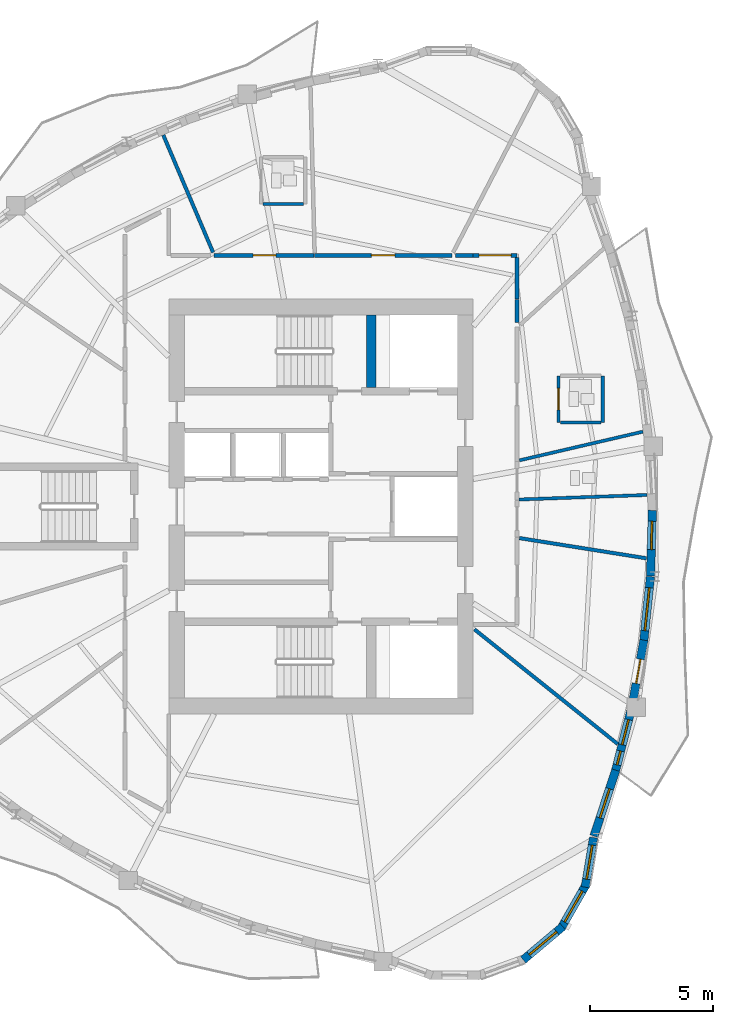
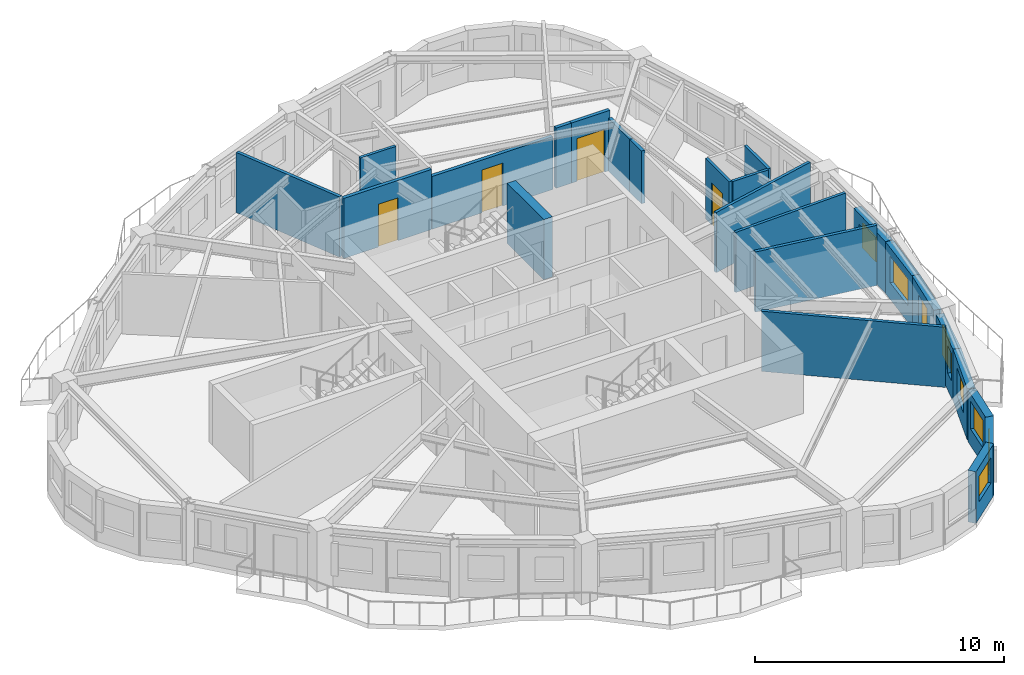
# One storey, part 6 of 12: 24 walls, 8 windows, 5 doors, 13 openings.
"""IFC4 building model written with IfcOpenShell, lengths in metres."""

import ifcopenshell
import ifcopenshell.guid

model = None  # the IFC model being written
_history = None  # IfcOwnerHistory: only IFC2X3 demands one
_inside = {}  # id of a spatial element -> (the spatial element, [elements in it])
_under = {}  # id of a project, library or spatial element -> (it, [spatial elements below it])
_declared = {}  # id of a project -> (the project, [libraries it declares])
_typed = {}  # id of a type object -> (the type object, [elements of that type])
_made_of = {}  # id of a material, layer set ... -> (it, [elements and type objects made of it])


def new_model(schema):
    """Start an empty IFC model of exactly this schema.

    Asked for "IFC4X3", IfcOpenShell would pick the latest addendum, in which some entities
    have other attributes; the version numbers below select the first issue.
    IFC2X3 requires an IfcOwnerHistory on every rooted entity: one is made here for all.
    """
    global model, _history
    if schema == "IFC4X3":
        model = ifcopenshell.file(schema_version=(4, 3, 0, 0))
    else:
        model = ifcopenshell.file(schema=schema)
    _inside.clear()
    _under.clear()
    _declared.clear()
    _typed.clear()
    _made_of.clear()
    _history = None
    if model.schema == "IFC2X3":
        org = make("IfcOrganization", Name="unknown")
        user = make(
            "IfcPersonAndOrganization",
            ThePerson=make("IfcPerson", FamilyName="unknown"),
            TheOrganization=org,
        )
        app = make(
            "IfcApplication",
            ApplicationDeveloper=org,
            Version="unknown",
            ApplicationFullName="unknown",
            ApplicationIdentifier="unknown",
        )
        _history = make(
            "IfcOwnerHistory",
            OwningUser=user,
            OwningApplication=app,
            ChangeAction="ADDED",
            CreationDate=0,
        )
    return model


def make(cls, **values):
    """One entity of the class cls with the attributes given. An attribute that is None is left unset."""
    return model.create_entity(
        cls, **{name: value for name, value in values.items() if value is not None}
    )


def rooted(cls, **values):
    """An entity with a GlobalId (a new one), such as an element, a storey or a relation."""
    return make(cls, GlobalId=ifcopenshell.guid.new(), OwnerHistory=_history, **values)


def si_unit(unit_type, name, prefix=None):
    """IfcSIUnit, for example si_unit("LENGTHUNIT", "METRE", prefix="MILLI")."""
    return make("IfcSIUnit", UnitType=unit_type, Prefix=prefix, Name=name)


def assignment(units):
    """IfcUnitAssignment: the units of a project."""
    return None if units is None else make("IfcUnitAssignment", Units=units)


def point(xyz):
    """IfcCartesianPoint."""
    return None if xyz is None else make("IfcCartesianPoint", Coordinates=xyz)


def direction(xyz):
    """IfcDirection."""
    return None if xyz is None else make("IfcDirection", DirectionRatios=xyz)


def frame(location, z_axis=None, x_axis=None):
    """IfcAxis2Placement3D, a coordinate frame: its origin and axes. An axis left out is left unset."""
    return make(
        "IfcAxis2Placement3D",
        Location=point(location),
        Axis=direction(z_axis),
        RefDirection=direction(x_axis),
    )


def frame_2d(location, x_axis=None):
    """IfcAxis2Placement2D, a coordinate frame in the plane: its origin and x axis."""
    return make(
        "IfcAxis2Placement2D", Location=point(location), RefDirection=direction(x_axis)
    )


def origin():
    """The frame at (0, 0, 0) with its axes left unset."""
    return frame((0.0, 0.0, 0.0))


def place(relative_to, where):
    """IfcLocalPlacement: puts the frame where relative to a parent placement (None: the world)."""
    return make(
        "IfcLocalPlacement", PlacementRelTo=relative_to, RelativePlacement=where
    )


def context(
    kind, dimensions, precision=None, world=None, true_north=None, identifier=None
):
    """IfcGeometricRepresentationContext, for example the 3D "Model" context."""
    return make(
        "IfcGeometricRepresentationContext",
        ContextIdentifier=identifier,
        ContextType=kind,
        CoordinateSpaceDimension=dimensions,
        Precision=precision,
        WorldCoordinateSystem=world,
        TrueNorth=true_north,
    )


def subcontext(parent, identifier, kind, view, scale=None):
    """IfcGeometricRepresentationSubContext, for example "Body" below "Model"."""
    return make(
        "IfcGeometricRepresentationSubContext",
        ContextIdentifier=identifier,
        ContextType=kind,
        ParentContext=parent,
        TargetScale=scale,
        TargetView=view,
    )


def project(units=None, contexts=None):
    """IfcProject with its units and contexts."""
    return rooted(
        "IfcProject",
        Name="project",
        RepresentationContexts=contexts,
        UnitsInContext=assignment(units),
    )


def spatial(cls, under=None, at=None, **own):
    """A site, building, storey or space (cls), placed at a placement, below another one or the project."""
    s = rooted(cls, ObjectPlacement=at, **own)
    if under is not None:
        _under.setdefault(under.id(), (under, []))[1].append(s)
    return s


def profile(cls, at=None, kind="AREA", **sizes):
    """A parametric profile (cls). Its sizes go by their IFC names, for example OverallWidth=200.0."""
    return make(cls, ProfileType=kind, Position=at, **sizes)


def rectangle(**sizes):
    """IfcRectangleProfileDef."""
    return profile("IfcRectangleProfileDef", **sizes)


def extrude(swept, where, along, depth):
    """IfcExtrudedAreaSolid: the profile swept, set in the frame where, extruded along a direction by depth."""
    return make(
        "IfcExtrudedAreaSolid",
        SweptArea=swept,
        Position=where,
        ExtrudedDirection=direction(along),
        Depth=depth,
    )


def shape(context_of_items, identifier, shape_type, items):
    """IfcShapeRepresentation: the items that make up one representation, for example the "Body"."""
    return make(
        "IfcShapeRepresentation",
        ContextOfItems=context_of_items,
        RepresentationIdentifier=identifier,
        RepresentationType=shape_type,
        Items=items,
    )


def source(mapping_origin, context_of_items, identifier, shape_type, items):
    """IfcRepresentationMap: a shape defined once, which mapped items show again and again."""
    return make(
        "IfcRepresentationMap",
        MappingOrigin=mapping_origin,
        MappedRepresentation=shape(context_of_items, identifier, shape_type, items),
    )


def transform(
    local_origin,
    x_axis=None,
    y_axis=None,
    z_axis=None,
    scale=None,
    scale2=None,
    scale3=None,
    uniform=True,
):
    """IfcCartesianTransformationOperator3D, or its non-uniform kind. x_axis, y_axis, z_axis: its Axis1, 2, 3."""
    if uniform:
        return make(
            "IfcCartesianTransformationOperator3D",
            Axis1=direction(x_axis),
            Axis2=direction(y_axis),
            LocalOrigin=point(local_origin),
            Scale=scale,
            Axis3=direction(z_axis),
        )
    return make(
        "IfcCartesianTransformationOperator3DnonUniform",
        Axis1=direction(x_axis),
        Axis2=direction(y_axis),
        LocalOrigin=point(local_origin),
        Scale=scale,
        Axis3=direction(z_axis),
        Scale2=scale2,
        Scale3=scale3,
    )


def mapped(mapping_source, mapping_target):
    """IfcMappedItem: shows the shape of a source again, moved by a transform."""
    return make(
        "IfcMappedItem", MappingSource=mapping_source, MappingTarget=mapping_target
    )


def material(Name=None, Category=None):
    """IfcMaterial."""
    return make("IfcMaterial", Name=Name, Category=Category)


def layer(
    of_material, thickness, ventilated=None, Name=None, Category=None, Priority=None
):
    """IfcMaterialLayer: one layer of a wall or slab, of a material (None: an air gap)."""
    return make(
        "IfcMaterialLayer",
        Material=of_material,
        LayerThickness=thickness,
        IsVentilated=ventilated,
        Name=Name,
        Category=Category,
        Priority=Priority,
    )


def layer_set(layers, Name=None):
    """IfcMaterialLayerSet."""
    return make("IfcMaterialLayerSet", MaterialLayers=layers, LayerSetName=Name)


def made_of(thing, what):
    """Note that an element or type object is made of a material, layer set ...; save() writes the relation."""
    if what is not None:
        _made_of.setdefault(what.id(), (what, []))[1].append(thing)
    return thing


def type_object(cls, material=None, **own):
    """A type object (cls), such as IfcWallType, which elements share."""
    return made_of(rooted(cls, **own), material)


def element(
    cls,
    number,
    at=None,
    inside=None,
    cuts=None,
    type_object=None,
    material=None,
    context=None,
    identifier="Body",
    shape_type=None,
    held_by="IfcProductDefinitionShape",
    body=None,
    shapes=None,
    **own,
):
    """One element of the class cls, such as IfcWall. Its Tag is "e" and its number.

    at: its placement. inside: the storey or other place that contains it. cuts: it is an
    opening in that element (IfcRelVoidsElement). A single representation is given by context,
    identifier, shape_type and body (its items); several are given by shapes. held_by: the class
    of the entity that holds the representations. save() writes the other relations.
    """
    e = rooted(cls, Tag="e%d" % number, ObjectPlacement=at, **own)
    if body is not None:
        shapes = [shape(context, identifier, shape_type, body)]
    if shapes is not None:
        e.Representation = make(held_by, Representations=shapes)
    if inside is not None:
        _inside.setdefault(inside.id(), (inside, []))[1].append(e)
    if cuts is not None:
        rooted(
            "IfcRelVoidsElement", RelatingBuildingElement=cuts, RelatedOpeningElement=e
        )
    if type_object is not None:
        _typed.setdefault(type_object.id(), (type_object, []))[1].append(e)
    return made_of(e, material)


def fill(opening, filler):
    """IfcRelFillsElement: the door or window that sits in an opening."""
    return rooted(
        "IfcRelFillsElement",
        RelatingOpeningElement=opening,
        RelatedBuildingElement=filler,
    )


def aggregate(whole, parts):
    """IfcRelAggregates: a whole, such as a stair, and the parts it consists of."""
    return rooted("IfcRelAggregates", RelatingObject=whole, RelatedObjects=parts)


def save(model, path):
    """Write the relations noted so far, then the file.

    IfcRelAggregates (storeys below a building ...), IfcRelContainedInSpatialStructure (elements
    in a storey), IfcRelDefinesByType, IfcRelAssociatesMaterial and IfcRelDeclares: one each for
    every whole, place, type object, material and project.
    """
    for whole, parts in _under.values():
        aggregate(whole, parts)
    for where, things in _inside.values():
        rooted(
            "IfcRelContainedInSpatialStructure",
            RelatedElements=things,
            RelatingStructure=where,
        )
    for kind, things in _typed.values():
        rooted("IfcRelDefinesByType", RelatedObjects=things, RelatingType=kind)
    for what, things in _made_of.values():
        rooted("IfcRelAssociatesMaterial", RelatedObjects=things, RelatingMaterial=what)
    for by, libraries in _declared.values():
        rooted("IfcRelDeclares", RelatingContext=by, RelatedDefinitions=libraries)
    model.write(path)


model = new_model("IFC4")

# Units and contexts
model_context = context("Model", 3, precision=1e-05, world=origin(), true_north=direction((0.0, 1.0)))
body_context = subcontext(model_context, "Body", "Model", "MODEL_VIEW")
ifc_project = project(units=[si_unit("LENGTHUNIT", "METRE"), si_unit("AREAUNIT", "SQUARE_METRE"), si_unit("VOLUMEUNIT", "CUBIC_METRE"), si_unit("PLANEANGLEUNIT", "RADIAN"), si_unit("MASSUNIT", "GRAM", prefix="KILO")], contexts=[model_context])

# Site, building, storey
site_placement = place(None, origin())
site = spatial("IfcSite", under=ifc_project, at=site_placement, CompositionType="ELEMENT")
building_placement = place(site_placement, origin())
building = spatial("IfcBuilding", under=site, at=building_placement, Name="Qafzar Sky-Pleat Residences", CompositionType="ELEMENT")
storey_placement = place(building_placement, frame((0.0, 0.0, 139.39990234375)))
storey = spatial("IfcBuildingStorey", under=building, at=storey_placement, Name="L41", CompositionType="ELEMENT", Elevation=139.39990234375)

# Wall, opening, door
ifc_material_1 = material(Name="Acoustic gypsum plasterboard partition", Category="gypsum")
ifc_layer_1 = layer(ifc_material_1, 0.159912109375)
ifc_layer_set_1 = layer_set([ifc_layer_1], Name="Acoustic gypsum plasterboard partition")
wall_type_1 = type_object("IfcWallType", Name="PART-COR-160", PredefinedType="PARTITIONING", material=ifc_layer_set_1)
wall_1_placement = place(storey_placement, frame((30.077880859375, 36.22998046875, 0.0), z_axis=(0.0, 0.0, 1.0), x_axis=(1.0, 0.0, 0.0)))
wall_1 = element("IfcWall", 1, at=wall_1_placement, inside=storey, type_object=wall_type_1, Name="L41 Partition Wall PART-L41-PW-002", PredefinedType="PARTITIONING", context=body_context, shape_type="SweptSolid", body=[
    extrude(rectangle(XDim=5.608154296875, YDim=0.159912109375, at=frame_2d((2.80419921875, 0.0))), origin(), (0.0, 0.0, 1.0), 2.588134765625),
])
opening_1_placement = place(wall_1_placement, frame((2.322998046875, 0.0, 0.0)))
opening_1 = element("IfcOpeningElement", 2, at=opening_1_placement, cuts=wall_1, Name="Opening ID-06", PredefinedType="OPENING", context=body_context, shape_type="SweptSolid", body=[
    extrude(rectangle(XDim=0.9599609375, YDim=2.10009765625, at=frame_2d((0.47998046875, 1.050048828125))), frame((0.0, 0.08984375, 0.0), z_axis=(0.0, -1.0, 0.0), x_axis=(1.0, 0.0, 0.0)), (0.0, 0.0, 1.0), 0.179931640625),
])
ifc_material_2 = material(Name="Timber-faced fire door", Category="wood")
door_type_1 = type_object("IfcDoorType", Name="DR-STD-960", OperationType="NOTDEFINED", PredefinedType="DOOR", material=ifc_material_2)
shared_shape_1 = source(origin(), body_context, "Body", "SweptSolid", [
    extrude(rectangle(XDim=0.9599609375, YDim=2.10009765625, at=frame_2d((0.47998046875, 1.050048828125))), frame((0.0, 0.02490234375, 0.0), z_axis=(0.0, -1.0, 0.0), x_axis=(1.0, 0.0, 0.0)), (0.0, 0.0, 1.0), 0.050048828125),
])
door_1_placement = place(opening_1_placement, origin())
door_1 = element("IfcDoor", 3, at=door_1_placement, inside=storey, type_object=door_type_1, Name="L41 Reading Library Door", OperationType="SINGLE_SWING_RIGHT", OverallHeight=2.10009765625, OverallWidth=0.9599609375, PredefinedType="DOOR", context=body_context, shape_type="MappedRepresentation", body=[
    mapped(shared_shape_1, transform((0.0, 0.0, 0.0), x_axis=(1.0, 0.0, 0.0), y_axis=(0.0, 1.0, 0.0), z_axis=(0.0, 0.0, 1.0), scale=1.0)),
])
fill(opening_1, door_1)

wall_2_placement = place(storey_placement, frame((25.989990234375, 36.22998046875, 0.0), z_axis=(0.0, 0.0, 1.0), x_axis=(1.0, 0.0, 0.0)))
wall_2 = element("IfcWall", 4, at=wall_2_placement, inside=storey, type_object=wall_type_1, Name="L41 Partition Wall PART-L41-PW-004", PredefinedType="PARTITIONING", context=body_context, shape_type="SweptSolid", body=[
    extrude(rectangle(XDim=4.072998046875, YDim=0.159912109375, at=frame_2d((2.03662109375, 0.0))), origin(), (0.0, 0.0, 1.0), 2.9501953125),
])
opening_2_placement = place(wall_2_placement, frame((1.599609375, 0.0, 0.0)))
opening_2 = element("IfcOpeningElement", 5, at=opening_2_placement, cuts=wall_2, Name="Opening ID-04", PredefinedType="OPENING", context=body_context, shape_type="SweptSolid", body=[
    extrude(rectangle(XDim=0.919921875, YDim=2.10009765625, at=frame_2d((0.4599609375, 1.050048828125))), frame((0.0, 0.08984375, 0.0), z_axis=(0.0, -1.0, 0.0), x_axis=(1.0, 0.0, 0.0)), (0.0, 0.0, 1.0), 0.179931640625),
])
door_type_2 = type_object("IfcDoorType", Name="DR-BED-920", OperationType="NOTDEFINED", PredefinedType="DOOR", material=ifc_material_2)
shared_shape_2 = source(origin(), body_context, "Body", "SweptSolid", [
    extrude(rectangle(XDim=0.919921875, YDim=2.10009765625, at=frame_2d((0.4599609375, 1.050048828125))), frame((0.0, 0.02490234375, 0.0), z_axis=(0.0, -1.0, 0.0), x_axis=(1.0, 0.0, 0.0)), (0.0, 0.0, 1.0), 0.050048828125),
])
door_2_placement = place(opening_2_placement, origin())
door_2 = element("IfcDoor", 6, at=door_2_placement, inside=storey, type_object=door_type_2, Name="L41 Co-Living Bedroom 2 Door", OperationType="SINGLE_SWING_RIGHT", OverallHeight=2.10009765625, OverallWidth=0.919921875, PredefinedType="DOOR", context=body_context, shape_type="MappedRepresentation", body=[
    mapped(shared_shape_2, transform((0.0, 0.0, 0.0), x_axis=(1.0, 0.0, 0.0), y_axis=(0.0, 1.0, 0.0), z_axis=(0.0, 0.0, 1.0), scale=1.0)),
])
fill(opening_2, door_2)

wall_3_placement = place(storey_placement, frame((36.550048828125, 36.22998046875, 0.0), z_axis=(0.0, 0.0, 1.0), x_axis=(1.0, 0.0, 0.0)))
wall_3 = element("IfcWall", 7, at=wall_3_placement, inside=storey, type_object=wall_type_1, Name="L41 Partition Wall PART-L41-PW-011", PredefinedType="PARTITIONING", context=body_context, shape_type="SweptSolid", body=[
    extrude(rectangle(XDim=1.780029296875, YDim=0.159912109375, at=frame_2d((0.89013671875, 0.0))), origin(), (0.0, 0.0, 1.0), 2.9501953125),
])
opening_3_placement = place(wall_3_placement, frame((0.239990234375, 0.0, 0.0)))
opening_3 = element("IfcOpeningElement", 8, at=opening_3_placement, cuts=wall_3, Name="Opening ID-05", PredefinedType="OPENING", context=body_context, shape_type="SweptSolid", body=[
    extrude(rectangle(XDim=1.300048828125, YDim=2.10009765625, at=frame_2d((0.64990234375, 1.050048828125))), frame((0.0, 0.08984375, 0.0), z_axis=(0.0, -1.0, 0.0), x_axis=(1.0, 0.0, 0.0)), (0.0, 0.0, 1.0), 0.179931640625),
])
door_type_3 = type_object("IfcDoorType", Name="DR-LNG-1300", OperationType="DOUBLE_DOOR_SINGLE_SWING", PredefinedType="DOOR", material=ifc_material_2)
shared_shape_3 = source(origin(), body_context, "Body", "SweptSolid", [
    extrude(rectangle(XDim=1.300048828125, YDim=2.10009765625, at=frame_2d((0.64990234375, 1.050048828125))), frame((0.0, 0.02490234375, 0.0), z_axis=(0.0, -1.0, 0.0), x_axis=(1.0, 0.0, 0.0)), (0.0, 0.0, 1.0), 0.050048828125),
])
door_3_placement = place(opening_3_placement, origin())
door_3 = element("IfcDoor", 9, at=door_3_placement, inside=storey, type_object=door_type_3, Name="L41 Communal Kitchen Door", OperationType="DOUBLE_DOOR_SINGLE_SWING", OverallHeight=2.10009765625, OverallWidth=1.300048828125, PredefinedType="DOOR", context=body_context, shape_type="MappedRepresentation", body=[
    mapped(shared_shape_3, transform((0.0, 0.0, 0.0), x_axis=(1.0, 0.0, 0.0), y_axis=(0.0, 1.0, 0.0), z_axis=(0.0, 0.0, 1.0), scale=1.0)),
])
fill(opening_3, door_3)

# Walls
wall_4_placement = place(storey_placement, frame((38.330078125, 34.449951171875, 0.0), z_axis=(0.0, 0.0, 1.0), x_axis=(0.0, 1.0, 0.0)))
element("IfcWall", 10, at=wall_4_placement, inside=storey, type_object=wall_type_1, Name="L41 Partition Wall PART-L41-PW-035", PredefinedType="PARTITIONING", context=body_context, shape_type="SweptSolid", body=[
    extrude(rectangle(XDim=1.692138671875, YDim=0.159912109375, at=frame_2d((0.84619140625, 0.0))), origin(), (0.0, 0.0, 1.0), 2.588134765625),
])
wall_5_placement = place(storey_placement, frame((38.330078125, 33.49609375, 0.0), z_axis=(0.0, 0.0, 1.0), x_axis=(0.0, 1.0, 0.0)))
element("IfcWall", 11, at=wall_5_placement, inside=storey, type_object=wall_type_1, Name="L41 Partition Wall PART-L41-PW-039", PredefinedType="PARTITIONING", context=body_context, shape_type="SweptSolid", body=[
    extrude(rectangle(XDim=0.93896484375, YDim=0.159912109375, at=frame_2d((0.469482421875, 0.0))), origin(), (0.0, 0.0, 1.0), 2.588134765625),
])
wall_6_placement = place(storey_placement, frame((35.832275390625, 36.22998046875, 0.0), z_axis=(0.0, 0.0, 1.0), x_axis=(1.0, 0.0, 0.0)))
element("IfcWall", 12, at=wall_6_placement, inside=storey, type_object=wall_type_1, Name="L41 Partition Wall PART-L41-PW-041", PredefinedType="PARTITIONING", context=body_context, shape_type="SweptSolid", body=[
    extrude(rectangle(XDim=0.70263671875, YDim=0.159912109375, at=frame_2d((0.351318359375, 0.0))), origin(), (0.0, 0.0, 1.0), 2.9501953125),
])
ifc_layer_2 = layer(ifc_material_1, 0.14501953125)
ifc_layer_set_2 = layer_set([ifc_layer_2], Name="Acoustic gypsum plasterboard partition")
wall_type_2 = type_object("IfcWallType", Name="PART-UNIT-145", PredefinedType="PARTITIONING", material=ifc_layer_set_2)
wall_7_placement = place(storey_placement, frame((36.6015625, 20.99658203125, 0.0), z_axis=(0.0, 0.0, 1.0), x_axis=(0.780696683128, -0.624910144703, 0.0)))
element("IfcWall", 13, at=wall_7_placement, inside=storey, type_object=wall_type_2, Name="L41 Partition Wall PART-L41-PW-018", PredefinedType="PARTITIONING", context=body_context, shape_type="SweptSolid", body=[
    extrude(rectangle(XDim=7.4736328125, YDim=0.14501953125, at=frame_2d((3.73681640625, 0.0))), origin(), (0.0, 0.0, 1.0), 2.9501953125),
])
wall_8_placement = place(storey_placement, frame((38.42919921875, 24.714111328125, 0.0), z_axis=(0.0, 0.0, 1.0), x_axis=(0.987561894046, -0.157230739454, 0.0)))
element("IfcWall", 14, at=wall_8_placement, inside=storey, type_object=wall_type_2, Name="L41 Partition Wall PART-L41-PW-020", PredefinedType="PARTITIONING", context=body_context, shape_type="SweptSolid", body=[
    extrude(rectangle(XDim=5.239013671875, YDim=0.14501953125, at=frame_2d((2.61962890625, 0.0))), origin(), (0.0, 0.0, 1.0), 2.9501953125),
])
wall_9_placement = place(storey_placement, frame((23.92724609375, 41.126953125, 0.0), z_axis=(0.0, 0.0, 1.0), x_axis=(0.39073452171, -0.920503413108, 0.0)))
element("IfcWall", 15, at=wall_9_placement, inside=storey, type_object=wall_type_2, Name="L41 Partition Wall PART-L41-PW-021", PredefinedType="PARTITIONING", context=body_context, shape_type="SweptSolid", body=[
    extrude(rectangle(XDim=5.194091796875, YDim=0.14501953125, at=frame_2d((2.59716796875, 0.0))), origin(), (0.0, 0.0, 1.0), 2.9501953125),
])

# Wall, opening, door
ifc_material_3 = material(Name="Moisture-resistant gypsum partition", Category="gypsum")
ifc_layer_3 = layer(ifc_material_3, 0.1298828125)
ifc_layer_set_3 = layer_set([ifc_layer_3], Name="Moisture-resistant gypsum partition")
wall_type_3 = type_object("IfcWallType", Name="PART-WET-130", PredefinedType="PARTITIONING", material=ifc_layer_set_3)
wall_10_placement = place(storey_placement, frame((40.02490234375, 31.324951171875, 0.0), z_axis=(0.0, 0.0, 1.0), x_axis=(0.0, -1.0, 0.0)))
wall_10 = element("IfcWall", 16, at=wall_10_placement, inside=storey, type_object=wall_type_3, Name="L41 Partition Wall PART-L41-PW-009", PredefinedType="PARTITIONING", context=body_context, shape_type="SweptSolid", body=[
    extrude(rectangle(XDim=1.89990234375, YDim=0.1298828125, at=frame_2d((0.949951171875, 0.0))), origin(), (0.0, 0.0, 1.0), 2.9501953125),
])
opening_4_placement = place(wall_10_placement, frame((0.510009765625, 0.0, 0.0)))
opening_4 = element("IfcOpeningElement", 17, at=opening_4_placement, cuts=wall_10, Name="Opening ID-07", PredefinedType="OPENING", context=body_context, shape_type="SweptSolid", body=[
    extrude(rectangle(XDim=0.8798828125, YDim=2.050048828125, at=frame_2d((0.43994140625, 1.02490234375))), frame((0.0, 0.074951171875, 0.0), z_axis=(0.0, -1.0, 0.0), x_axis=(1.0, 0.0, 0.0)), (0.0, 0.0, 1.0), 0.14990234375),
])
door_type_4 = type_object("IfcDoorType", Name="DR-WET-880", OperationType="NOTDEFINED", PredefinedType="DOOR", material=ifc_material_2)
shared_shape_4 = source(origin(), body_context, "Body", "SweptSolid", [
    extrude(rectangle(XDim=0.8798828125, YDim=2.050048828125, at=frame_2d((0.43994140625, 1.02490234375))), frame((0.0, 0.02490234375, 0.0), z_axis=(0.0, -1.0, 0.0), x_axis=(1.0, 0.0, 0.0)), (0.0, 0.0, 1.0), 0.050048828125),
])
door_4_placement = place(opening_4_placement, origin())
door_4 = element("IfcDoor", 18, at=door_4_placement, inside=storey, type_object=door_type_4, Name="L41 En-suite Bathroom 1 Door", OperationType="SINGLE_SWING_RIGHT", OverallHeight=2.050048828125, OverallWidth=0.8798828125, PredefinedType="DOOR", context=body_context, shape_type="MappedRepresentation", body=[
    mapped(shared_shape_4, transform((0.0, 0.0, 0.0), x_axis=(1.0, 0.0, 0.0), y_axis=(0.0, 1.0, 0.0), z_axis=(0.0, 0.0, 1.0), scale=1.0)),
])
fill(opening_4, door_4)

# Walls
wall_11_placement = place(storey_placement, frame((38.42041015625, 26.28515625, 0.0), z_axis=(0.0, 0.0, 1.0), x_axis=(0.999370581131, 0.03547452002, 0.0)))
element("IfcWall", 19, at=wall_11_placement, inside=storey, type_object=wall_type_3, Name="L41 Partition Wall PART-L41-PW-022", PredefinedType="PARTITIONING", context=body_context, shape_type="SweptSolid", body=[
    extrude(rectangle(XDim=5.216552734375, YDim=0.1298828125, at=frame_2d((2.6083984375, 0.0))), origin(), (0.0, 0.0, 1.0), 2.9501953125),
])
wall_12_placement = place(storey_placement, frame((38.4326171875, 27.8798828125, 0.0), z_axis=(0.0, 0.0, 1.0), x_axis=(0.974013368575, 0.226490524828, 0.0)))
element("IfcWall", 20, at=wall_12_placement, inside=storey, type_object=wall_type_3, Name="L41 Partition Wall PART-L41-PW-023", PredefinedType="PARTITIONING", context=body_context, shape_type="SweptSolid", body=[
    extrude(rectangle(XDim=5.158935546875, YDim=0.1298828125, at=frame_2d((2.57958984375, 0.0))), origin(), (0.0, 0.0, 1.0), 2.9501953125),
])
wall_13_placement = place(storey_placement, frame((41.824951171875, 29.425048828125, 0.0), z_axis=(0.0, 0.0, 1.0), x_axis=(0.0, 1.0, 0.0)))
element("IfcWall", 21, at=wall_13_placement, inside=storey, type_object=wall_type_3, Name="L41 Partition Wall PART-L41-PW-027", PredefinedType="PARTITIONING", context=body_context, shape_type="SweptSolid", body=[
    extrude(rectangle(XDim=1.89990234375, YDim=0.1298828125, at=frame_2d((0.949951171875, 0.0))), origin(), (0.0, 0.0, 1.0), 2.9501953125),
])
for number, where, z_axis, x_axis, name in (
    (22, (40.097900390625, 29.425048828125, 0.0), (0.0, 0.0, 1.0), (1.0, 0.0, 0.0), "L41 Partition Wall PART-L41-PW-031"),
    (23, (27.97900390625, 38.324951171875, 0.0), (0.0, 0.0, 1.0), (1.0, 0.0, 0.0), "L41 Partition Wall PART-L41-PW-033"),
):
    element("IfcWall", number, at=place(storey_placement, frame(where, z_axis=z_axis, x_axis=x_axis)), inside=storey, type_object=wall_type_3, Name=name, PredefinedType="PARTITIONING", context=body_context, shape_type="SweptSolid", body=[
        extrude(rectangle(XDim=1.654052734375, YDim=0.1298828125, at=frame_2d((0.8271484375, 0.0))), origin(), (0.0, 0.0, 1.0), 2.9501953125),
    ])

# Wall, opening, window
ifc_material_4 = material(Name="Precast concrete C40/50 with honed Riyadh limestone", Category="concrete")
ifc_layer_4 = layer(ifc_material_4, 0.340087890625)
ifc_layer_set_4 = layer_set([ifc_layer_4], Name="Precast concrete C40/50 with honed Riyadh limestone")
wall_type_4 = type_object("IfcWallType", Name="WALL-EXT-340", PredefinedType="SOLIDWALL", material=ifc_layer_set_4)
wall_14_placement = place(storey_placement, frame((38.582763671875, 7.53564453125, 0.0), z_axis=(0.0, 0.0, 1.0), x_axis=(0.76506129474, 0.643957463883, 0.0)))
wall_14 = element("IfcWall", 24, at=wall_14_placement, inside=storey, type_object=wall_type_4, Name="L41 Limestone Facade Wall 20", PredefinedType="SOLIDWALL", context=body_context, shape_type="SweptSolid", body=[
    extrude(rectangle(XDim=2.108642578125, YDim=0.340087890625, at=frame_2d((1.05419921875, 0.0))), origin(), (0.0, 0.0, 1.0), 2.530029296875),
])
opening_5_placement = place(wall_14_placement, frame((0.329345703125, 0.0, 0.820068359375)))
opening_5 = element("IfcOpeningElement", 25, at=opening_5_placement, cuts=wall_14, Name="Opening WN-15", PredefinedType="OPENING", context=body_context, shape_type="SweptSolid", body=[
    extrude(rectangle(XDim=1.449951171875, YDim=1.25, at=frame_2d((0.72509765625, 0.625))), frame((0.0, 0.18017578125, 0.0), z_axis=(0.0, -1.0, 0.0), x_axis=(1.0, 0.0, 0.0)), (0.0, 0.0, 1.0), 0.360107421875),
])
ifc_material_5 = material(Name="Solar-control low-E glass in bronze aluminium frame", Category="glass")
window_type_1 = type_object("IfcWindowType", Name="WIN-15", PartitioningType="SINGLE_PANEL", PredefinedType="WINDOW", material=ifc_material_5)
shared_shape_5 = source(origin(), body_context, "Body", "SweptSolid", [
    extrude(rectangle(XDim=1.449951171875, YDim=1.25, at=frame_2d((0.72509765625, 0.625))), frame((0.0, 0.030029296875, 0.0), z_axis=(0.0, -1.0, 0.0), x_axis=(1.0, 0.0, 0.0)), (0.0, 0.0, 1.0), 0.06005859375),
])
window_1_placement = place(opening_5_placement, origin())
window_1 = element("IfcWindow", 26, at=window_1_placement, inside=storey, type_object=window_type_1, Name="L41 Punched Facade Window 20", OverallHeight=1.25, OverallWidth=1.449951171875, PartitioningType="SINGLE_PANEL", PredefinedType="WINDOW", context=body_context, shape_type="MappedRepresentation", body=[
    mapped(shared_shape_5, transform((0.0, 0.0, 0.0), x_axis=(1.0, 0.0, 0.0), y_axis=(0.0, 1.0, 0.0), z_axis=(0.0, 0.0, 1.0), scale=1.0)),
])
fill(opening_5, window_1)

wall_15_placement = place(storey_placement, frame((40.10986328125, 8.790283203125, 0.0), z_axis=(0.0, 0.0, 1.0), x_axis=(0.495852152567, 0.868406956901, 0.0)))
wall_15 = element("IfcWall", 27, at=wall_15_placement, inside=storey, type_object=wall_type_4, Name="L41 Limestone Facade Wall 21", PredefinedType="SOLIDWALL", context=body_context, shape_type="SweptSolid", body=[
    extrude(rectangle(XDim=2.10888671875, YDim=0.340087890625, at=frame_2d((1.054443359375, 0.0))), origin(), (0.0, 0.0, 1.0), 2.530029296875),
])
opening_6_placement = place(wall_15_placement, frame((0.329345703125, 0.0, 0.820068359375)))
opening_6 = element("IfcOpeningElement", 28, at=opening_6_placement, cuts=wall_15, Name="Opening WN-15", PredefinedType="OPENING", context=body_context, shape_type="SweptSolid", body=[
    extrude(rectangle(XDim=1.449951171875, YDim=1.25, at=frame_2d((0.72509765625, 0.625))), frame((0.0, 0.18017578125, 0.0), z_axis=(0.0, -1.0, 0.0), x_axis=(1.0, 0.0, 0.0)), (0.0, 0.0, 1.0), 0.360107421875),
])
window_2_placement = place(opening_6_placement, origin())
window_2 = element("IfcWindow", 29, at=window_2_placement, inside=storey, type_object=window_type_1, Name="L41 Punched Facade Window 21", OverallHeight=1.25, OverallWidth=1.449951171875, PartitioningType="SINGLE_PANEL", PredefinedType="WINDOW", context=body_context, shape_type="MappedRepresentation", body=[
    mapped(shared_shape_5, transform((0.0, 0.0, 0.0), x_axis=(1.0, 0.0, 0.0), y_axis=(0.0, 1.0, 0.0), z_axis=(0.0, 0.0, 1.0), scale=1.0)),
])
fill(opening_6, window_2)

wall_16_placement = place(storey_placement, frame((41.1103515625, 10.4951171875, 0.0), z_axis=(0.0, 0.0, 1.0), x_axis=(0.165731018204, 0.9861709941, 0.0)))
wall_16 = element("IfcWall", 30, at=wall_16_placement, inside=storey, type_object=wall_type_4, Name="L41 Limestone Facade Wall 22", PredefinedType="SOLIDWALL", context=body_context, shape_type="SweptSolid", body=[
    extrude(rectangle(XDim=2.050537109375, YDim=0.340087890625, at=frame_2d((1.025390625, 0.0))), origin(), (0.0, 0.0, 1.0), 2.530029296875),
])
opening_7_placement = place(wall_16_placement, frame((0.335205078125, 0.0, 0.820068359375)))
opening_7 = element("IfcOpeningElement", 31, at=opening_7_placement, cuts=wall_16, Name="Opening WN-10", PredefinedType="OPENING", context=body_context, shape_type="SweptSolid", body=[
    extrude(rectangle(XDim=1.39990234375, YDim=1.35009765625, at=frame_2d((0.699951171875, 0.675048828125))), frame((0.0, 0.18017578125, 0.0), z_axis=(0.0, -1.0, 0.0), x_axis=(1.0, 0.0, 0.0)), (0.0, 0.0, 1.0), 0.360107421875),
])
window_type_2 = type_object("IfcWindowType", Name="WIN-10", PartitioningType="SINGLE_PANEL", PredefinedType="WINDOW", material=ifc_material_5)
shared_shape_6 = source(origin(), body_context, "Body", "SweptSolid", [
    extrude(rectangle(XDim=1.39990234375, YDim=1.35009765625, at=frame_2d((0.699951171875, 0.675048828125))), frame((0.0, 0.030029296875, 0.0), z_axis=(0.0, -1.0, 0.0), x_axis=(1.0, 0.0, 0.0)), (0.0, 0.0, 1.0), 0.06005859375),
])
window_3_placement = place(opening_7_placement, origin())
window_3 = element("IfcWindow", 32, at=window_3_placement, inside=storey, type_object=window_type_2, Name="L41 Punched Facade Window 22", OverallHeight=1.35009765625, OverallWidth=1.39990234375, PartitioningType="SINGLE_PANEL", PredefinedType="WINDOW", context=body_context, shape_type="MappedRepresentation", body=[
    mapped(shared_shape_6, transform((0.0, 0.0, 0.0), x_axis=(1.0, 0.0, 0.0), y_axis=(0.0, 1.0, 0.0), z_axis=(0.0, 0.0, 1.0), scale=1.0)),
])
fill(opening_7, window_3)

wall_17_placement = place(storey_placement, frame((41.466064453125, 12.581298828125, 0.0), z_axis=(0.0, 0.0, 1.0), x_axis=(0.314540836259, 0.949243942475, 0.0)))
wall_17 = element("IfcWall", 33, at=wall_17_placement, inside=storey, type_object=wall_type_4, Name="L41 Limestone Facade Wall 23", PredefinedType="SOLIDWALL", context=body_context, shape_type="SweptSolid", body=[
    extrude(rectangle(XDim=2.822998046875, YDim=0.340087890625, at=frame_2d((1.41162109375, 0.0))), origin(), (0.0, 0.0, 1.0), 2.530029296875),
])
opening_8_placement = place(wall_17_placement, frame((0.776611328125, 0.0, 0.820068359375)))
opening_8 = element("IfcOpeningElement", 34, at=opening_8_placement, cuts=wall_17, Name="Opening WN-11", PredefinedType="OPENING", context=body_context, shape_type="SweptSolid", body=[
    extrude(rectangle(XDim=1.25, YDim=1.35009765625, at=frame_2d((0.625, 0.675048828125))), frame((0.0, 0.18017578125, 0.0), z_axis=(0.0, -1.0, 0.0), x_axis=(1.0, 0.0, 0.0)), (0.0, 0.0, 1.0), 0.360107421875),
])
window_type_3 = type_object("IfcWindowType", Name="WIN-11", PartitioningType="SINGLE_PANEL", PredefinedType="WINDOW", material=ifc_material_5)
shared_shape_7 = source(origin(), body_context, "Body", "SweptSolid", [
    extrude(rectangle(XDim=1.25, YDim=1.35009765625, at=frame_2d((0.625, 0.675048828125))), frame((0.0, 0.030029296875, 0.0), z_axis=(0.0, -1.0, 0.0), x_axis=(1.0, 0.0, 0.0)), (0.0, 0.0, 1.0), 0.06005859375),
])
window_4_placement = place(opening_8_placement, origin())
window_4 = element("IfcWindow", 35, at=window_4_placement, inside=storey, type_object=window_type_3, Name="L41 Punched Facade Window 23", OverallHeight=1.35009765625, OverallWidth=1.25, PartitioningType="SINGLE_PANEL", PredefinedType="WINDOW", context=body_context, shape_type="MappedRepresentation", body=[
    mapped(shared_shape_7, transform((0.0, 0.0, 0.0), x_axis=(1.0, 0.0, 0.0), y_axis=(0.0, 1.0, 0.0), z_axis=(0.0, 0.0, 1.0), scale=1.0)),
])
fill(opening_8, window_4)

# Wall, openings, windows
wall_18_placement = place(storey_placement, frame((42.3291015625, 15.177001953125, 0.0), z_axis=(0.0, 0.0, 1.0), x_axis=(0.247819063092, 0.968806333571, 0.0)))
wall_18 = element("IfcWall", 36, at=wall_18_placement, inside=storey, type_object=wall_type_4, Name="L41 Limestone Facade Wall 24", PredefinedType="SOLIDWALL", context=body_context, shape_type="SweptSolid", body=[
    extrude(rectangle(XDim=2.62939453125, YDim=0.340087890625, at=frame_2d((1.314697265625, 0.0))), origin(), (0.0, 0.0, 1.0), 2.530029296875),
])
opening_9_placement = place(wall_18_placement, frame((0.315185546875, 0.0, 0.820068359375)))
opening_9 = element("IfcOpeningElement", 37, at=opening_9_placement, cuts=wall_18, Name="Opening WN-17", PredefinedType="OPENING", context=body_context, shape_type="SweptSolid", body=[
    extrude(rectangle(XDim=0.580078125, YDim=1.35009765625, at=frame_2d((0.2900390625, 0.675048828125))), frame((0.0, 0.18017578125, 0.0), z_axis=(0.0, -1.0, 0.0), x_axis=(1.0, 0.0, 0.0)), (0.0, 0.0, 1.0), 0.360107421875),
])
opening_10_placement = place(wall_18_placement, frame((1.160400390625, 0.0, 0.820068359375)))
opening_10 = element("IfcOpeningElement", 38, at=opening_10_placement, cuts=wall_18, Name="Opening WN-06", PredefinedType="OPENING", context=body_context, shape_type="SweptSolid", body=[
    extrude(rectangle(XDim=1.050048828125, YDim=1.449951171875, at=frame_2d((0.52490234375, 0.72509765625))), frame((0.0, 0.18017578125, 0.0), z_axis=(0.0, -1.0, 0.0), x_axis=(1.0, 0.0, 0.0)), (0.0, 0.0, 1.0), 0.360107421875),
])
window_type_4 = type_object("IfcWindowType", Name="WIN-17", PartitioningType="SINGLE_PANEL", PredefinedType="WINDOW", material=ifc_material_5)
shared_shape_8 = source(origin(), body_context, "Body", "SweptSolid", [
    extrude(rectangle(XDim=0.580078125, YDim=1.35009765625, at=frame_2d((0.2900390625, 0.675048828125))), frame((0.0, 0.030029296875, 0.0), z_axis=(0.0, -1.0, 0.0), x_axis=(1.0, 0.0, 0.0)), (0.0, 0.0, 1.0), 0.06005859375),
])
window_5_placement = place(opening_9_placement, origin())
window_5 = element("IfcWindow", 39, at=window_5_placement, inside=storey, type_object=window_type_4, Name="L41 Punched Facade Window 24", OverallHeight=1.35009765625, OverallWidth=0.580078125, PartitioningType="SINGLE_PANEL", PredefinedType="WINDOW", context=body_context, shape_type="MappedRepresentation", body=[
    mapped(shared_shape_8, transform((0.0, 0.0, 0.0), x_axis=(1.0, 0.0, 0.0), y_axis=(0.0, 1.0, 0.0), z_axis=(0.0, 0.0, 1.0), scale=1.0)),
])
fill(opening_9, window_5)
window_type_5 = type_object("IfcWindowType", Name="WIN-06", PartitioningType="SINGLE_PANEL", PredefinedType="WINDOW", material=ifc_material_5)
shared_shape_9 = source(origin(), body_context, "Body", "SweptSolid", [
    extrude(rectangle(XDim=1.050048828125, YDim=1.449951171875, at=frame_2d((0.52490234375, 0.72509765625))), frame((0.0, 0.030029296875, 0.0), z_axis=(0.0, -1.0, 0.0), x_axis=(1.0, 0.0, 0.0)), (0.0, 0.0, 1.0), 0.06005859375),
])
window_6_placement = place(opening_10_placement, origin())
window_6 = element("IfcWindow", 40, at=window_6_placement, inside=storey, type_object=window_type_5, Name="L41 Punched Facade Window 24-2", OverallHeight=1.449951171875, OverallWidth=1.050048828125, PartitioningType="SINGLE_PANEL", PredefinedType="WINDOW", context=body_context, shape_type="MappedRepresentation", body=[
    mapped(shared_shape_9, transform((0.0, 0.0, 0.0), x_axis=(1.0, 0.0, 0.0), y_axis=(0.0, 1.0, 0.0), z_axis=(0.0, 0.0, 1.0), scale=1.0)),
])
fill(opening_10, window_6)

# Wall, opening, door
wall_19_placement = place(storey_placement, frame((43.0439453125, 18.01513671875, 0.0), z_axis=(0.0, 0.0, 1.0), x_axis=(0.177114569603, 0.984190240367, 0.0)))
wall_19 = element("IfcWall", 41, at=wall_19_placement, inside=storey, type_object=wall_type_4, Name="L41 Limestone Facade Wall 25", PredefinedType="SOLIDWALL", context=body_context, shape_type="SweptSolid", body=[
    extrude(rectangle(XDim=2.58447265625, YDim=0.340087890625, at=frame_2d((1.292236328125, 0.0))), origin(), (0.0, 0.0, 1.0), 2.530029296875),
])
opening_11_placement = place(wall_19_placement, frame((0.792236328125, 0.0, 0.0)))
opening_11 = element("IfcOpeningElement", 42, at=opening_11_placement, cuts=wall_19, Name="Opening ED-05", PredefinedType="OPENING", context=body_context, shape_type="SweptSolid", body=[
    extrude(rectangle(XDim=1.0, YDim=2.10009765625, at=frame_2d((0.5, 1.050048828125))), frame((0.0, 0.18017578125, 0.0), z_axis=(0.0, -1.0, 0.0), x_axis=(1.0, 0.0, 0.0)), (0.0, 0.0, 1.0), 0.360107421875),
])
ifc_material_6 = material(Name="Glazed bronze aluminium door", Category="aluminium")
door_type_5 = type_object("IfcDoorType", Name="DR-BAL-1000", OperationType="NOTDEFINED", PredefinedType="DOOR", material=ifc_material_6)
shared_shape_10 = source(origin(), body_context, "Body", "SweptSolid", [
    extrude(rectangle(XDim=1.0, YDim=2.10009765625, at=frame_2d((0.5, 1.050048828125))), frame((0.0, 0.02490234375, 0.0), z_axis=(0.0, -1.0, 0.0), x_axis=(1.0, 0.0, 0.0)), (0.0, 0.0, 1.0), 0.050048828125),
])
door_5_placement = place(opening_11_placement, origin())
door_5 = element("IfcDoor", 43, at=door_5_placement, inside=storey, type_object=door_type_5, Name="L41 Glazed Balcony Door 1", OperationType="SINGLE_SWING_LEFT", OverallHeight=2.10009765625, OverallWidth=1.0, PredefinedType="DOOR", context=body_context, shape_type="MappedRepresentation", body=[
    mapped(shared_shape_10, transform((0.0, 0.0, 0.0), x_axis=(1.0, 0.0, 0.0), y_axis=(0.0, 1.0, 0.0), z_axis=(0.0, 0.0, 1.0), scale=1.0)),
])
fill(opening_11, door_5)

# Wall, opening, window
wall_20_placement = place(storey_placement, frame((43.489501953125, 20.47119140625, 0.0), z_axis=(0.0, 0.0, 1.0), x_axis=(0.103673439924, 0.99461139037, 0.0)))
wall_20 = element("IfcWall", 44, at=wall_20_placement, inside=storey, type_object=wall_type_4, Name="L41 Limestone Facade Wall 26", PredefinedType="SOLIDWALL", context=body_context, shape_type="SweptSolid", body=[
    extrude(rectangle(XDim=2.689208984375, YDim=0.340087890625, at=frame_2d((1.3447265625, 0.0))), origin(), (0.0, 0.0, 1.0), 2.530029296875),
])
opening_12_placement = place(wall_20_placement, frame((0.479736328125, 0.0, 0.820068359375)))
opening_12 = element("IfcOpeningElement", 45, at=opening_12_placement, cuts=wall_20, Name="Opening WN-14", PredefinedType="OPENING", context=body_context, shape_type="SweptSolid", body=[
    extrude(rectangle(XDim=1.75, YDim=1.300048828125, at=frame_2d((0.875, 0.64990234375))), frame((0.0, 0.18017578125, 0.0), z_axis=(0.0, -1.0, 0.0), x_axis=(1.0, 0.0, 0.0)), (0.0, 0.0, 1.0), 0.360107421875),
])
window_type_6 = type_object("IfcWindowType", Name="WIN-14", PartitioningType="DOUBLE_PANEL_VERTICAL", PredefinedType="WINDOW", material=ifc_material_5)
shared_shape_11 = source(origin(), body_context, "Body", "SweptSolid", [
    extrude(rectangle(XDim=1.75, YDim=1.300048828125, at=frame_2d((0.875, 0.64990234375))), frame((0.0, 0.030029296875, 0.0), z_axis=(0.0, -1.0, 0.0), x_axis=(1.0, 0.0, 0.0)), (0.0, 0.0, 1.0), 0.06005859375),
])
window_7_placement = place(opening_12_placement, origin())
window_7 = element("IfcWindow", 46, at=window_7_placement, inside=storey, type_object=window_type_6, Name="L41 Punched Facade Window 26", OverallHeight=1.300048828125, OverallWidth=1.75, PartitioningType="SINGLE_PANEL", PredefinedType="WINDOW", context=body_context, shape_type="MappedRepresentation", body=[
    mapped(shared_shape_11, transform((0.0, 0.0, 0.0), x_axis=(1.0, 0.0, 0.0), y_axis=(0.0, 1.0, 0.0), z_axis=(0.0, 0.0, 1.0), scale=1.0)),
])
fill(opening_12, window_7)

wall_21_placement = place(storey_placement, frame((43.77001953125, 23.173095703125, 0.0), z_axis=(0.0, 0.0, 1.0), x_axis=(0.028392968923, 0.999596838388, 0.0)))
wall_21 = element("IfcWall", 47, at=wall_21_placement, inside=storey, type_object=wall_type_4, Name="L41 Limestone Facade Wall 27", PredefinedType="SOLIDWALL", context=body_context, shape_type="SweptSolid", body=[
    extrude(rectangle(XDim=2.674072265625, YDim=0.340087890625, at=frame_2d((1.3369140625, 0.0))), origin(), (0.0, 0.0, 1.0), 2.530029296875),
])
opening_13_placement = place(wall_21_placement, frame((1.076416015625, 0.0, 0.820068359375)))
opening_13 = element("IfcOpeningElement", 48, at=opening_13_placement, cuts=wall_21, Name="Opening WN-16", PredefinedType="OPENING", context=body_context, shape_type="SweptSolid", body=[
    extrude(rectangle(XDim=1.14990234375, YDim=1.199951171875, at=frame_2d((0.574951171875, 0.60009765625))), frame((0.0, 0.18017578125, 0.0), z_axis=(0.0, -1.0, 0.0), x_axis=(1.0, 0.0, 0.0)), (0.0, 0.0, 1.0), 0.360107421875),
])
window_type_7 = type_object("IfcWindowType", Name="WIN-16", PartitioningType="SINGLE_PANEL", PredefinedType="WINDOW", material=ifc_material_5)
shared_shape_12 = source(origin(), body_context, "Body", "SweptSolid", [
    extrude(rectangle(XDim=1.14990234375, YDim=1.199951171875, at=frame_2d((0.574951171875, 0.60009765625))), frame((0.0, 0.030029296875, 0.0), z_axis=(0.0, -1.0, 0.0), x_axis=(1.0, 0.0, 0.0)), (0.0, 0.0, 1.0), 0.06005859375),
])
window_8_placement = place(opening_13_placement, origin())
window_8 = element("IfcWindow", 49, at=window_8_placement, inside=storey, type_object=window_type_7, Name="L41 Punched Facade Window 27-2", OverallHeight=1.199951171875, OverallWidth=1.14990234375, PartitioningType="SINGLE_PANEL", PredefinedType="WINDOW", context=body_context, shape_type="MappedRepresentation", body=[
    mapped(shared_shape_12, transform((0.0, 0.0, 0.0), x_axis=(1.0, 0.0, 0.0), y_axis=(0.0, 1.0, 0.0), z_axis=(0.0, 0.0, 1.0), scale=1.0)),
])
fill(opening_13, window_8)

# Wall
ifc_material_7 = material(Name="Concrete C60/75", Category="concrete")
ifc_layer_5 = layer(ifc_material_7, 0.39990234375)
ifc_layer_set_5 = layer_set([ifc_layer_5], Name="Concrete C60/75")
wall_type_5 = type_object("IfcWallType", Name="WALL-SHEAR-400", PredefinedType="SHEAR", material=ifc_layer_set_5)
wall_22_placement = place(storey_placement, frame((32.39990234375, 30.85009765625, 0.0), z_axis=(0.0, 0.0, 1.0), x_axis=(0.0, 1.0, 0.0)))
element("IfcWall", 50, at=wall_22_placement, inside=storey, type_object=wall_type_5, Name="L41 Stair ST2 East Dividing Wall", PredefinedType="SHEAR", context=body_context, shape_type="SweptSolid", body=[
    extrude(rectangle(XDim=2.949951171875, YDim=0.39990234375, at=frame_2d((1.47509765625, 0.0))), origin(), (0.0, 0.0, 1.0), 2.9501953125),
])

save(model, "model.ifc")
